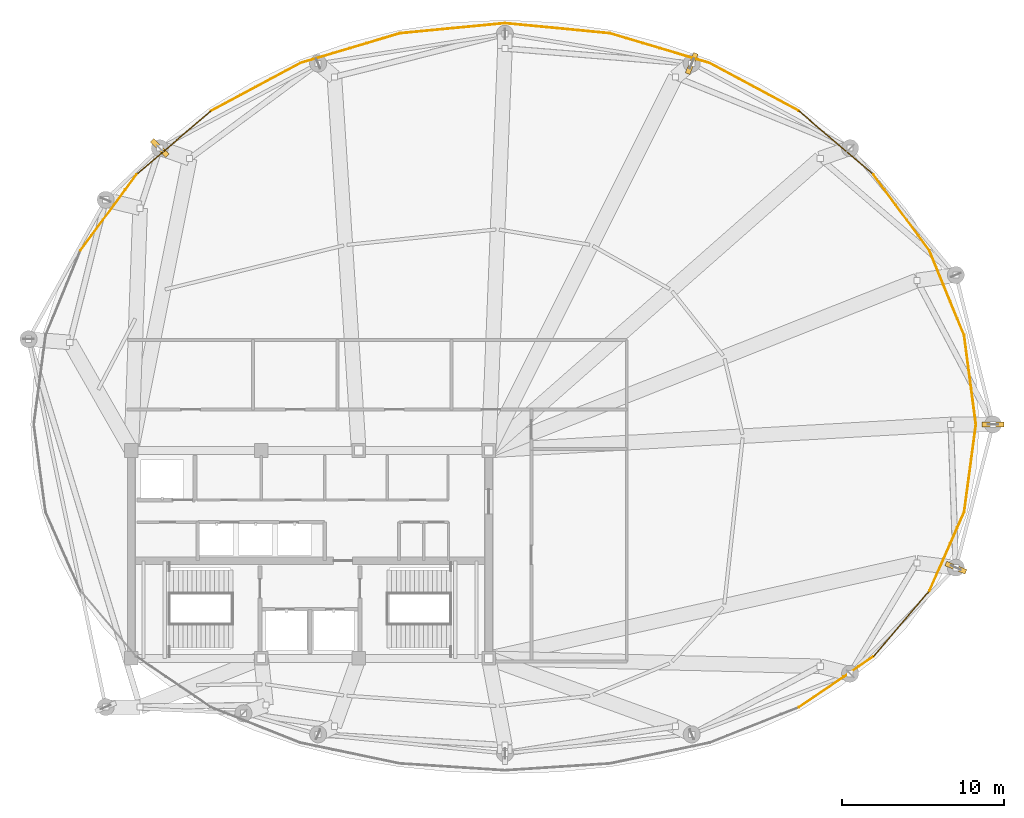
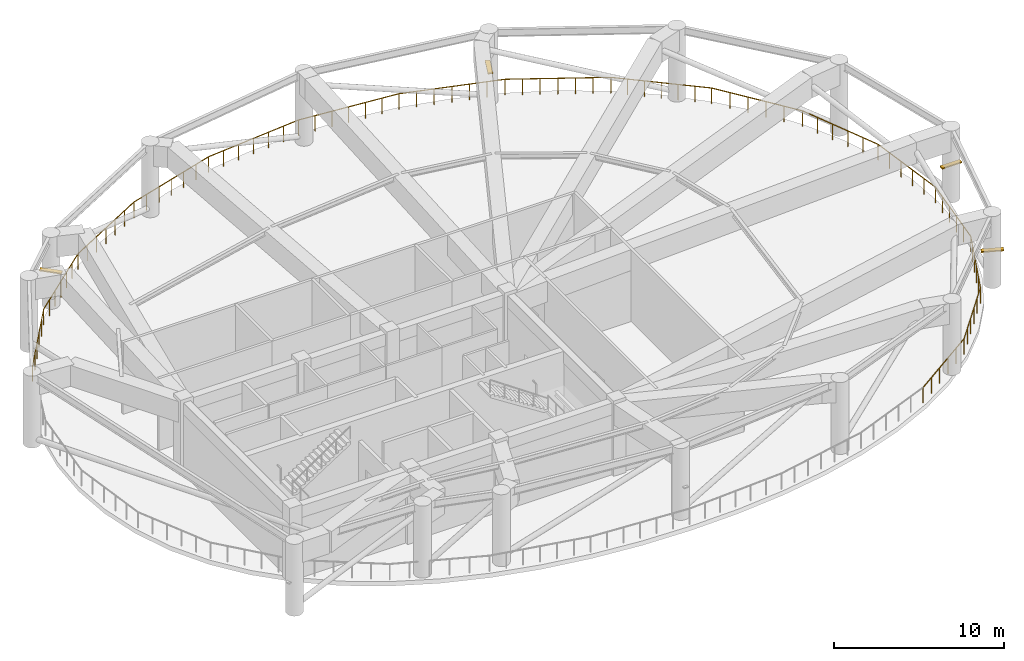
# One storey, part 9 of 9: 16 railings, 4 shading devices.
"""IFC4 building model written with IfcOpenShell, lengths in metres."""

from ifc_helpers import new_model, si_unit, direction, frame, origin, origin_2d, place, context, subcontext, project, spatial, rectangle, extrude, material, type_object, element, save


model = new_model("IFC4")

# Units and contexts
model_context = context("Model", 3, precision=1e-05, world=origin(), true_north=direction((0.0, 1.0)))
body_context = subcontext(model_context, "Body", "Model", "MODEL_VIEW")
ifc_project = project(units=[si_unit("LENGTHUNIT", "METRE"), si_unit("AREAUNIT", "SQUARE_METRE"), si_unit("VOLUMEUNIT", "CUBIC_METRE"), si_unit("PLANEANGLEUNIT", "RADIAN"), si_unit("MASSUNIT", "GRAM", prefix="KILO")], contexts=[model_context])

# Site, building, storey
site_placement = place(None, origin())
site = spatial("IfcSite", under=ifc_project, at=site_placement, CompositionType="ELEMENT")
building_placement = place(site_placement, origin())
building = spatial("IfcBuilding", under=site, at=building_placement, Name="Kazevale Care Tower and Concert Hall", CompositionType="ELEMENT")
storey_placement = place(building_placement, frame((0.0, 0.0, 253.199951171875)))
storey = spatial("IfcBuildingStorey", under=building, at=storey_placement, Name="L67", CompositionType="ELEMENT", Elevation=253.199951171875)

# Railings
ifc_material_1 = material(Name="Stainless Steel 316", Category="steel")
railing_type = type_object("IfcRailingType", Name="Wind-Floor & Portal Guardrail 1150", PredefinedType="BALUSTRADE", material=ifc_material_1)
railing_1_placement = place(storey_placement, frame((74.0, 38.0, 0.0)))
element("IfcRailing", 1, at=railing_1_placement, inside=storey, type_object=railing_type, Name="rail:L67:wind_perim:01", PredefinedType="BALUSTRADE", context=body_context, shape_type="SweptSolid", body=[
    extrude(rectangle(XDim=0.048095703125, YDim=0.048095703125, at=origin_2d()), frame((0.0, 0.0, 1.1259765625), z_axis=(-0.133203612034, -0.991088693176, 0.0), x_axis=(0.991088693176, -0.133203612034, 0.0)), (0.0, 0.0, 1.0), 5.443603515625),
    extrude(rectangle(XDim=0.0419921875, YDim=0.0419921875, at=origin_2d()), origin(), (0.0, 0.0, 1.0), 1.101806640625),
    extrude(rectangle(XDim=0.0419921875, YDim=0.0419921875, at=origin_2d()), frame((-0.14501953125, -1.0791015625, 0.0)), (0.0, 0.0, 1.0), 1.101806640625),
    extrude(rectangle(XDim=0.0419921875, YDim=0.0419921875, at=origin_2d()), frame((-0.2900390625, -2.157958984375, 0.0)), (0.0, 0.0, 1.0), 1.101806640625),
    extrude(rectangle(XDim=0.0419921875, YDim=0.0419921875, at=origin_2d()), frame((-0.43505859375, -3.237060546875, 0.0)), (0.0, 0.0, 1.0), 1.101806640625),
    extrude(rectangle(XDim=0.0419921875, YDim=0.0419921875, at=origin_2d()), frame((-0.580078125, -4.31591796875, 0.0)), (0.0, 0.0, 1.0), 1.101806640625),
    extrude(rectangle(XDim=0.0419921875, YDim=0.0419921875, at=origin_2d()), frame((-0.72509765625, -5.39501953125, 0.0)), (0.0, 0.0, 1.0), 1.101806640625),
])
railing_2_placement = place(storey_placement, frame((73.27490234375, 32.60498046875, 0.0)))
element("IfcRailing", 2, at=railing_2_placement, inside=storey, type_object=railing_type, Name="rail:L67:wind_perim:02", PredefinedType="BALUSTRADE", context=body_context, shape_type="SweptSolid", body=[
    extrude(rectangle(XDim=0.048095703125, YDim=0.048095703125, at=origin_2d()), frame((0.0, 0.0, 1.1259765625), z_axis=(-0.403471028859, -0.914992420117, 0.0), x_axis=(0.914992420117, -0.403471028859, 0.0)), (0.0, 0.0, 1.0), 5.2939453125),
    extrude(rectangle(XDim=0.0419921875, YDim=0.0419921875, at=origin_2d()), origin(), (0.0, 0.0, 1.0), 1.101806640625),
    extrude(rectangle(XDim=0.0419921875, YDim=0.0419921875, at=origin_2d()), frame((-0.42724609375, -0.96875, 0.0)), (0.0, 0.0, 1.0), 1.101806640625),
    extrude(rectangle(XDim=0.0419921875, YDim=0.0419921875, at=origin_2d()), frame((-0.8544921875, -1.9375, 0.0)), (0.0, 0.0, 1.0), 1.101806640625),
    extrude(rectangle(XDim=0.0419921875, YDim=0.0419921875, at=origin_2d()), frame((-1.281494140625, -2.906494140625, 0.0)), (0.0, 0.0, 1.0), 1.101806640625),
    extrude(rectangle(XDim=0.0419921875, YDim=0.0419921875, at=origin_2d()), frame((-1.708740234375, -3.875244140625, 0.0)), (0.0, 0.0, 1.0), 1.101806640625),
    extrude(rectangle(XDim=0.0419921875, YDim=0.0419921875, at=origin_2d()), frame((-2.135986328125, -4.843994140625, 0.0)), (0.0, 0.0, 1.0), 1.101806640625),
])
railing_3_placement = place(storey_placement, frame((71.138916015625, 27.760986328125, 0.0)))
element("IfcRailing", 3, at=railing_3_placement, inside=storey, type_object=railing_type, Name="rail:L67:wind_perim:03", PredefinedType="BALUSTRADE", context=body_context, shape_type="SweptSolid", body=[
    extrude(rectangle(XDim=0.048095703125, YDim=0.048095703125, at=origin_2d()), frame((0.0, 0.0, 1.1259765625), z_axis=(-0.64843290081, -0.761271812921, 0.0), x_axis=(0.761271812921, -0.64843290081, 0.0)), (0.0, 0.0, 1.0), 5.3095703125),
    extrude(rectangle(XDim=0.0419921875, YDim=0.0419921875, at=origin_2d()), origin(), (0.0, 0.0, 1.0), 1.101806640625),
    extrude(rectangle(XDim=0.0419921875, YDim=0.0419921875, at=origin_2d()), frame((-0.6884765625, -0.808349609375, 0.0)), (0.0, 0.0, 1.0), 1.101806640625),
    extrude(rectangle(XDim=0.0419921875, YDim=0.0419921875, at=origin_2d()), frame((-1.377197265625, -1.61669921875, 0.0)), (0.0, 0.0, 1.0), 1.101806640625),
    extrude(rectangle(XDim=0.0419921875, YDim=0.0419921875, at=origin_2d()), frame((-2.065673828125, -2.42529296875, 0.0)), (0.0, 0.0, 1.0), 1.101806640625),
    extrude(rectangle(XDim=0.0419921875, YDim=0.0419921875, at=origin_2d()), frame((-2.75439453125, -3.233642578125, 0.0)), (0.0, 0.0, 1.0), 1.101806640625),
    extrude(rectangle(XDim=0.0419921875, YDim=0.0419921875, at=origin_2d()), frame((-3.44287109375, -4.0419921875, 0.0)), (0.0, 0.0, 1.0), 1.101806640625),
])
railing_4_placement = place(storey_placement, frame((67.696044921875, 23.718994140625, 0.0)))
element("IfcRailing", 4, at=railing_4_placement, inside=storey, type_object=railing_type, Name="rail:L67:wind_perim:04", PredefinedType="BALUSTRADE", context=body_context, shape_type="SweptSolid", body=[
    extrude(rectangle(XDim=0.048095703125, YDim=0.048095703125, at=origin_2d()), frame((0.0, 0.0, 1.1259765625), z_axis=(-0.826126774353, -0.563484296762, 0.0), x_axis=(0.563484296762, -0.826126774353, 0.0)), (0.0, 0.0, 1.0), 5.547607421875),
    extrude(rectangle(XDim=0.0419921875, YDim=0.0419921875, at=origin_2d()), origin(), (0.0, 0.0, 1.0), 1.101806640625),
    extrude(rectangle(XDim=0.0419921875, YDim=0.0419921875, at=origin_2d()), frame((-0.91650390625, -0.625244140625, 0.0)), (0.0, 0.0, 1.0), 1.101806640625),
    extrude(rectangle(XDim=0.0419921875, YDim=0.0419921875, at=origin_2d()), frame((-1.833251953125, -1.25048828125, 0.0)), (0.0, 0.0, 1.0), 1.101806640625),
    extrude(rectangle(XDim=0.0419921875, YDim=0.0419921875, at=origin_2d()), frame((-2.749755859375, -1.87548828125, 0.0)), (0.0, 0.0, 1.0), 1.101806640625),
    extrude(rectangle(XDim=0.0419921875, YDim=0.0419921875, at=origin_2d()), frame((-3.66650390625, -2.500732421875, 0.0)), (0.0, 0.0, 1.0), 1.101806640625),
    extrude(rectangle(XDim=0.0419921875, YDim=0.0419921875, at=origin_2d()), frame((-4.5830078125, -3.1259765625, 0.0)), (0.0, 0.0, 1.0), 1.101806640625),
])
railing_5_placement = place(storey_placement, frame((18.865966796875, 48.705078125, 0.0)))
element("IfcRailing", 5, at=railing_5_placement, inside=storey, type_object=railing_type, Name="rail:L67:wind_perim:17", PredefinedType="BALUSTRADE", context=body_context, shape_type="SweptSolid", body=[
    extrude(rectangle(XDim=0.048095703125, YDim=0.048095703125, at=origin_2d()), frame((0.0, 0.0, 1.1259765625), z_axis=(0.593243418162, 0.805023134331, 0.0), x_axis=(-0.805023134331, 0.593243418162, 0.0)), (0.0, 0.0, 1.0), 5.817138671875),
    extrude(rectangle(XDim=0.0419921875, YDim=0.0419921875, at=origin_2d()), origin(), (0.0, 0.0, 1.0), 1.101806640625),
    extrude(rectangle(XDim=0.0419921875, YDim=0.0419921875, at=origin_2d()), frame((0.690185546875, 0.9365234375, 0.0)), (0.0, 0.0, 1.0), 1.101806640625),
    extrude(rectangle(XDim=0.0419921875, YDim=0.0419921875, at=origin_2d()), frame((1.38037109375, 1.873046875, 0.0)), (0.0, 0.0, 1.0), 1.101806640625),
    extrude(rectangle(XDim=0.0419921875, YDim=0.0419921875, at=origin_2d()), frame((2.070556640625, 2.809814453125, 0.0)), (0.0, 0.0, 1.0), 1.101806640625),
    extrude(rectangle(XDim=0.0419921875, YDim=0.0419921875, at=origin_2d()), frame((2.7607421875, 3.746337890625, 0.0)), (0.0, 0.0, 1.0), 1.101806640625),
    extrude(rectangle(XDim=0.0419921875, YDim=0.0419921875, at=origin_2d()), frame((3.450927734375, 4.682861328125, 0.0)), (0.0, 0.0, 1.0), 1.101806640625),
])
railing_6_placement = place(storey_placement, frame((22.31689453125, 53.387939453125, 0.0)))
element("IfcRailing", 6, at=railing_6_placement, inside=storey, type_object=railing_type, Name="rail:L67:wind_perim:18", PredefinedType="BALUSTRADE", context=body_context, shape_type="SweptSolid", body=[
    extrude(rectangle(XDim=0.048095703125, YDim=0.048095703125, at=origin_2d()), frame((0.0, 0.0, 1.1259765625), z_axis=(0.760916815362, 0.648849443322, 0.0), x_axis=(-0.648849443322, 0.760916815362, 0.0)), (0.0, 0.0, 1.0), 6.0322265625),
    extrude(rectangle(XDim=0.0419921875, YDim=0.0419921875, at=origin_2d()), origin(), (0.0, 0.0, 1.0), 1.101806640625),
    extrude(rectangle(XDim=0.0419921875, YDim=0.0419921875, at=origin_2d()), frame((0.76513671875, 0.65234375, 0.0)), (0.0, 0.0, 1.0), 1.101806640625),
    extrude(rectangle(XDim=0.0419921875, YDim=0.0419921875, at=origin_2d()), frame((1.530029296875, 1.3046875, 0.0)), (0.0, 0.0, 1.0), 1.101806640625),
    extrude(rectangle(XDim=0.0419921875, YDim=0.0419921875, at=origin_2d()), frame((2.294921875, 1.95703125, 0.0)), (0.0, 0.0, 1.0), 1.101806640625),
    extrude(rectangle(XDim=0.0419921875, YDim=0.0419921875, at=origin_2d()), frame((3.06005859375, 2.609375, 0.0)), (0.0, 0.0, 1.0), 1.101806640625),
    extrude(rectangle(XDim=0.0419921875, YDim=0.0419921875, at=origin_2d()), frame((3.8251953125, 3.26171875, 0.0)), (0.0, 0.0, 1.0), 1.101806640625),
    extrude(rectangle(XDim=0.0419921875, YDim=0.0419921875, at=origin_2d()), frame((4.590087890625, 3.9140625, 0.0)), (0.0, 0.0, 1.0), 1.101806640625),
])
railing_7_placement = place(storey_placement, frame((26.906982421875, 57.302001953125, 0.0)))
element("IfcRailing", 7, at=railing_7_placement, inside=storey, type_object=railing_type, Name="rail:L67:wind_perim:19", PredefinedType="BALUSTRADE", context=body_context, shape_type="SweptSolid", body=[
    extrude(rectangle(XDim=0.048095703125, YDim=0.048095703125, at=origin_2d()), frame((0.0, 0.0, 1.1259765625), z_axis=(0.881440413946, 0.472295243108, 0.0), x_axis=(-0.472295243108, 0.881440413946, 0.0)), (0.0, 0.0, 1.0), 6.23974609375),
    extrude(rectangle(XDim=0.0419921875, YDim=0.0419921875, at=origin_2d()), origin(), (0.0, 0.0, 1.0), 1.101806640625),
    extrude(rectangle(XDim=0.0419921875, YDim=0.0419921875, at=origin_2d()), frame((0.916748046875, 0.4912109375, 0.0)), (0.0, 0.0, 1.0), 1.101806640625),
    extrude(rectangle(XDim=0.0419921875, YDim=0.0419921875, at=origin_2d()), frame((1.833251953125, 0.982421875, 0.0)), (0.0, 0.0, 1.0), 1.101806640625),
    extrude(rectangle(XDim=0.0419921875, YDim=0.0419921875, at=origin_2d()), frame((2.75, 1.4736328125, 0.0)), (0.0, 0.0, 1.0), 1.101806640625),
    extrude(rectangle(XDim=0.0419921875, YDim=0.0419921875, at=origin_2d()), frame((3.666748046875, 1.964599609375, 0.0)), (0.0, 0.0, 1.0), 1.101806640625),
    extrude(rectangle(XDim=0.0419921875, YDim=0.0419921875, at=origin_2d()), frame((4.583251953125, 2.455810546875, 0.0)), (0.0, 0.0, 1.0), 1.101806640625),
    extrude(rectangle(XDim=0.0419921875, YDim=0.0419921875, at=origin_2d()), frame((5.5, 2.947021484375, 0.0)), (0.0, 0.0, 1.0), 1.101806640625),
])
railing_8_placement = place(storey_placement, frame((32.406982421875, 60.2490234375, 0.0)))
element("IfcRailing", 8, at=railing_8_placement, inside=storey, type_object=railing_type, Name="rail:L67:wind_perim:20", PredefinedType="BALUSTRADE", context=body_context, shape_type="SweptSolid", body=[
    extrude(rectangle(XDim=0.048095703125, YDim=0.048095703125, at=origin_2d()), frame((0.0, 0.0, 1.1259765625), z_axis=(0.95826081723, 0.285895446207, 0.0), x_axis=(-0.285895446207, 0.95826081723, 0.0)), (0.0, 0.0, 1.0), 6.401123046875),
    extrude(rectangle(XDim=0.0419921875, YDim=0.0419921875, at=origin_2d()), origin(), (0.0, 0.0, 1.0), 1.101806640625),
    extrude(rectangle(XDim=0.0419921875, YDim=0.0419921875, at=origin_2d()), frame((1.0224609375, 0.304931640625, 0.0)), (0.0, 0.0, 1.0), 1.101806640625),
    extrude(rectangle(XDim=0.0419921875, YDim=0.0419921875, at=origin_2d()), frame((2.044677734375, 0.610107421875, 0.0)), (0.0, 0.0, 1.0), 1.101806640625),
    extrude(rectangle(XDim=0.0419921875, YDim=0.0419921875, at=origin_2d()), frame((3.06689453125, 0.9150390625, 0.0)), (0.0, 0.0, 1.0), 1.101806640625),
    extrude(rectangle(XDim=0.0419921875, YDim=0.0419921875, at=origin_2d()), frame((4.08935546875, 1.219970703125, 0.0)), (0.0, 0.0, 1.0), 1.101806640625),
    extrude(rectangle(XDim=0.0419921875, YDim=0.0419921875, at=origin_2d()), frame((5.11181640625, 1.525146484375, 0.0)), (0.0, 0.0, 1.0), 1.101806640625),
    extrude(rectangle(XDim=0.0419921875, YDim=0.0419921875, at=origin_2d()), frame((6.134033203125, 1.830078125, 0.0)), (0.0, 0.0, 1.0), 1.101806640625),
])
railing_9_placement = place(storey_placement, frame((38.541015625, 62.0791015625, 0.0)))
element("IfcRailing", 9, at=railing_9_placement, inside=storey, type_object=railing_type, Name="rail:L67:wind_perim:21", PredefinedType="BALUSTRADE", context=body_context, shape_type="SweptSolid", body=[
    extrude(rectangle(XDim=0.048095703125, YDim=0.048095703125, at=origin_2d()), frame((0.0, 0.0, 1.1259765625), z_axis=(0.995412061778, 0.095680861548, 0.0), x_axis=(-0.095680861548, 0.995412061778, 0.0)), (0.0, 0.0, 1.0), 6.48876953125),
    extrude(rectangle(XDim=0.0419921875, YDim=0.0419921875, at=origin_2d()), origin(), (0.0, 0.0, 1.0), 1.101806640625),
    extrude(rectangle(XDim=0.0419921875, YDim=0.0419921875, at=origin_2d()), frame((1.076416015625, 0.103515625, 0.0)), (0.0, 0.0, 1.0), 1.101806640625),
    extrude(rectangle(XDim=0.0419921875, YDim=0.0419921875, at=origin_2d()), frame((2.153076171875, 0.20703125, 0.0)), (0.0, 0.0, 1.0), 1.101806640625),
    extrude(rectangle(XDim=0.0419921875, YDim=0.0419921875, at=origin_2d()), frame((3.2294921875, 0.310546875, 0.0)), (0.0, 0.0, 1.0), 1.101806640625),
    extrude(rectangle(XDim=0.0419921875, YDim=0.0419921875, at=origin_2d()), frame((4.305908203125, 0.413818359375, 0.0)), (0.0, 0.0, 1.0), 1.101806640625),
    extrude(rectangle(XDim=0.0419921875, YDim=0.0419921875, at=origin_2d()), frame((5.382568359375, 0.517333984375, 0.0)), (0.0, 0.0, 1.0), 1.101806640625),
    extrude(rectangle(XDim=0.0419921875, YDim=0.0419921875, at=origin_2d()), frame((6.458984375, 0.620849609375, 0.0)), (0.0, 0.0, 1.0), 1.101806640625),
])
railing_10_placement = place(storey_placement, frame((45.0, 62.699951171875, 0.0)))
element("IfcRailing", 10, at=railing_10_placement, inside=storey, type_object=railing_type, Name="rail:L67:wind_perim:22", PredefinedType="BALUSTRADE", context=body_context, shape_type="SweptSolid", body=[
    extrude(rectangle(XDim=0.048095703125, YDim=0.048095703125, at=origin_2d()), frame((0.0, 0.0, 1.1259765625), z_axis=(0.995412061778, -0.095680861548, 0.0), x_axis=(0.095680861548, 0.995412061778, 0.0)), (0.0, 0.0, 1.0), 6.48876953125),
    extrude(rectangle(XDim=0.0419921875, YDim=0.0419921875, at=origin_2d()), origin(), (0.0, 0.0, 1.0), 1.101806640625),
    extrude(rectangle(XDim=0.0419921875, YDim=0.0419921875, at=origin_2d()), frame((1.076416015625, -0.103515625, 0.0)), (0.0, 0.0, 1.0), 1.101806640625),
    extrude(rectangle(XDim=0.0419921875, YDim=0.0419921875, at=origin_2d()), frame((2.153076171875, -0.20703125, 0.0)), (0.0, 0.0, 1.0), 1.101806640625),
    extrude(rectangle(XDim=0.0419921875, YDim=0.0419921875, at=origin_2d()), frame((3.2294921875, -0.310546875, 0.0)), (0.0, 0.0, 1.0), 1.101806640625),
    extrude(rectangle(XDim=0.0419921875, YDim=0.0419921875, at=origin_2d()), frame((4.305908203125, -0.413818359375, 0.0)), (0.0, 0.0, 1.0), 1.101806640625),
    extrude(rectangle(XDim=0.0419921875, YDim=0.0419921875, at=origin_2d()), frame((5.382568359375, -0.517333984375, 0.0)), (0.0, 0.0, 1.0), 1.101806640625),
    extrude(rectangle(XDim=0.0419921875, YDim=0.0419921875, at=origin_2d()), frame((6.458984375, -0.620849609375, 0.0)), (0.0, 0.0, 1.0), 1.101806640625),
])
railing_11_placement = place(storey_placement, frame((51.458984375, 62.0791015625, 0.0)))
element("IfcRailing", 11, at=railing_11_placement, inside=storey, type_object=railing_type, Name="rail:L67:wind_perim:23", PredefinedType="BALUSTRADE", context=body_context, shape_type="SweptSolid", body=[
    extrude(rectangle(XDim=0.048095703125, YDim=0.048095703125, at=origin_2d()), frame((0.0, 0.0, 1.1259765625), z_axis=(0.95826081723, -0.285895446207, 0.0), x_axis=(0.285895446207, 0.95826081723, 0.0)), (0.0, 0.0, 1.0), 6.401123046875),
    extrude(rectangle(XDim=0.0419921875, YDim=0.0419921875, at=origin_2d()), origin(), (0.0, 0.0, 1.0), 1.101806640625),
    extrude(rectangle(XDim=0.0419921875, YDim=0.0419921875, at=origin_2d()), frame((1.0224609375, -0.304931640625, 0.0)), (0.0, 0.0, 1.0), 1.101806640625),
    extrude(rectangle(XDim=0.0419921875, YDim=0.0419921875, at=origin_2d()), frame((2.044677734375, -0.610107421875, 0.0)), (0.0, 0.0, 1.0), 1.101806640625),
    extrude(rectangle(XDim=0.0419921875, YDim=0.0419921875, at=origin_2d()), frame((3.06689453125, -0.9150390625, 0.0)), (0.0, 0.0, 1.0), 1.101806640625),
    extrude(rectangle(XDim=0.0419921875, YDim=0.0419921875, at=origin_2d()), frame((4.08935546875, -1.219970703125, 0.0)), (0.0, 0.0, 1.0), 1.101806640625),
    extrude(rectangle(XDim=0.0419921875, YDim=0.0419921875, at=origin_2d()), frame((5.11181640625, -1.525146484375, 0.0)), (0.0, 0.0, 1.0), 1.101806640625),
    extrude(rectangle(XDim=0.0419921875, YDim=0.0419921875, at=origin_2d()), frame((6.134033203125, -1.830078125, 0.0)), (0.0, 0.0, 1.0), 1.101806640625),
])
railing_12_placement = place(storey_placement, frame((57.593017578125, 60.2490234375, 0.0)))
element("IfcRailing", 12, at=railing_12_placement, inside=storey, type_object=railing_type, Name="rail:L67:wind_perim:24", PredefinedType="BALUSTRADE", context=body_context, shape_type="SweptSolid", body=[
    extrude(rectangle(XDim=0.048095703125, YDim=0.048095703125, at=origin_2d()), frame((0.0, 0.0, 1.1259765625), z_axis=(0.881440413946, -0.472295243108, 0.0), x_axis=(0.472295243108, 0.881440413946, 0.0)), (0.0, 0.0, 1.0), 6.23974609375),
    extrude(rectangle(XDim=0.0419921875, YDim=0.0419921875, at=origin_2d()), origin(), (0.0, 0.0, 1.0), 1.101806640625),
    extrude(rectangle(XDim=0.0419921875, YDim=0.0419921875, at=origin_2d()), frame((0.916748046875, -0.4912109375, 0.0)), (0.0, 0.0, 1.0), 1.101806640625),
    extrude(rectangle(XDim=0.0419921875, YDim=0.0419921875, at=origin_2d()), frame((1.833251953125, -0.982421875, 0.0)), (0.0, 0.0, 1.0), 1.101806640625),
    extrude(rectangle(XDim=0.0419921875, YDim=0.0419921875, at=origin_2d()), frame((2.75, -1.4736328125, 0.0)), (0.0, 0.0, 1.0), 1.101806640625),
    extrude(rectangle(XDim=0.0419921875, YDim=0.0419921875, at=origin_2d()), frame((3.666748046875, -1.964599609375, 0.0)), (0.0, 0.0, 1.0), 1.101806640625),
    extrude(rectangle(XDim=0.0419921875, YDim=0.0419921875, at=origin_2d()), frame((4.583251953125, -2.455810546875, 0.0)), (0.0, 0.0, 1.0), 1.101806640625),
    extrude(rectangle(XDim=0.0419921875, YDim=0.0419921875, at=origin_2d()), frame((5.5, -2.947021484375, 0.0)), (0.0, 0.0, 1.0), 1.101806640625),
])
railing_13_placement = place(storey_placement, frame((63.093017578125, 57.302001953125, 0.0)))
element("IfcRailing", 13, at=railing_13_placement, inside=storey, type_object=railing_type, Name="rail:L67:wind_perim:25", PredefinedType="BALUSTRADE", context=body_context, shape_type="SweptSolid", body=[
    extrude(rectangle(XDim=0.048095703125, YDim=0.048095703125, at=origin_2d()), frame((0.0, 0.0, 1.1259765625), z_axis=(0.760916815362, -0.648849443322, 0.0), x_axis=(0.648849443322, 0.760916815362, 0.0)), (0.0, 0.0, 1.0), 6.0322265625),
    extrude(rectangle(XDim=0.0419921875, YDim=0.0419921875, at=origin_2d()), origin(), (0.0, 0.0, 1.0), 1.101806640625),
    extrude(rectangle(XDim=0.0419921875, YDim=0.0419921875, at=origin_2d()), frame((0.76513671875, -0.65234375, 0.0)), (0.0, 0.0, 1.0), 1.101806640625),
    extrude(rectangle(XDim=0.0419921875, YDim=0.0419921875, at=origin_2d()), frame((1.530029296875, -1.3046875, 0.0)), (0.0, 0.0, 1.0), 1.101806640625),
    extrude(rectangle(XDim=0.0419921875, YDim=0.0419921875, at=origin_2d()), frame((2.294921875, -1.95703125, 0.0)), (0.0, 0.0, 1.0), 1.101806640625),
    extrude(rectangle(XDim=0.0419921875, YDim=0.0419921875, at=origin_2d()), frame((3.06005859375, -2.609375, 0.0)), (0.0, 0.0, 1.0), 1.101806640625),
    extrude(rectangle(XDim=0.0419921875, YDim=0.0419921875, at=origin_2d()), frame((3.8251953125, -3.26171875, 0.0)), (0.0, 0.0, 1.0), 1.101806640625),
    extrude(rectangle(XDim=0.0419921875, YDim=0.0419921875, at=origin_2d()), frame((4.590087890625, -3.9140625, 0.0)), (0.0, 0.0, 1.0), 1.101806640625),
])
railing_14_placement = place(storey_placement, frame((67.68310546875, 53.387939453125, 0.0)))
element("IfcRailing", 14, at=railing_14_placement, inside=storey, type_object=railing_type, Name="rail:L67:wind_perim:26", PredefinedType="BALUSTRADE", context=body_context, shape_type="SweptSolid", body=[
    extrude(rectangle(XDim=0.048095703125, YDim=0.048095703125, at=origin_2d()), frame((0.0, 0.0, 1.1259765625), z_axis=(0.593243418162, -0.805023134331, 0.0), x_axis=(0.805023134331, 0.593243418162, 0.0)), (0.0, 0.0, 1.0), 5.817138671875),
    extrude(rectangle(XDim=0.0419921875, YDim=0.0419921875, at=origin_2d()), origin(), (0.0, 0.0, 1.0), 1.101806640625),
    extrude(rectangle(XDim=0.0419921875, YDim=0.0419921875, at=origin_2d()), frame((0.690185546875, -0.9365234375, 0.0)), (0.0, 0.0, 1.0), 1.101806640625),
    extrude(rectangle(XDim=0.0419921875, YDim=0.0419921875, at=origin_2d()), frame((1.38037109375, -1.873046875, 0.0)), (0.0, 0.0, 1.0), 1.101806640625),
    extrude(rectangle(XDim=0.0419921875, YDim=0.0419921875, at=origin_2d()), frame((2.070556640625, -2.809814453125, 0.0)), (0.0, 0.0, 1.0), 1.101806640625),
    extrude(rectangle(XDim=0.0419921875, YDim=0.0419921875, at=origin_2d()), frame((2.7607421875, -3.746337890625, 0.0)), (0.0, 0.0, 1.0), 1.101806640625),
    extrude(rectangle(XDim=0.0419921875, YDim=0.0419921875, at=origin_2d()), frame((3.450927734375, -4.682861328125, 0.0)), (0.0, 0.0, 1.0), 1.101806640625),
])
railing_15_placement = place(storey_placement, frame((71.134033203125, 48.705078125, 0.0)))
element("IfcRailing", 15, at=railing_15_placement, inside=storey, type_object=railing_type, Name="rail:L67:wind_perim:27", PredefinedType="BALUSTRADE", context=body_context, shape_type="SweptSolid", body=[
    extrude(rectangle(XDim=0.048095703125, YDim=0.048095703125, at=origin_2d()), frame((0.0, 0.0, 1.1259765625), z_axis=(0.379551604364, -0.925170567855, 0.0), x_axis=(0.925170567855, 0.379551604364, 0.0)), (0.0, 0.0, 1.0), 5.637939453125),
    extrude(rectangle(XDim=0.0419921875, YDim=0.0419921875, at=origin_2d()), origin(), (0.0, 0.0, 1.0), 1.101806640625),
    extrude(rectangle(XDim=0.0419921875, YDim=0.0419921875, at=origin_2d()), frame((0.427978515625, -1.043212890625, 0.0)), (0.0, 0.0, 1.0), 1.101806640625),
    extrude(rectangle(XDim=0.0419921875, YDim=0.0419921875, at=origin_2d()), frame((0.85595703125, -2.08642578125, 0.0)), (0.0, 0.0, 1.0), 1.101806640625),
    extrude(rectangle(XDim=0.0419921875, YDim=0.0419921875, at=origin_2d()), frame((1.283935546875, -3.129638671875, 0.0)), (0.0, 0.0, 1.0), 1.101806640625),
    extrude(rectangle(XDim=0.0419921875, YDim=0.0419921875, at=origin_2d()), frame((1.7119140625, -4.1728515625, 0.0)), (0.0, 0.0, 1.0), 1.101806640625),
    extrude(rectangle(XDim=0.0419921875, YDim=0.0419921875, at=origin_2d()), frame((2.139892578125, -5.216064453125, 0.0)), (0.0, 0.0, 1.0), 1.101806640625),
])
railing_16_placement = place(storey_placement, frame((73.27392578125, 43.489013671875, 0.0)))
element("IfcRailing", 16, at=railing_16_placement, inside=storey, type_object=railing_type, Name="rail:L67:wind_perim:28", PredefinedType="BALUSTRADE", context=body_context, shape_type="SweptSolid", body=[
    extrude(rectangle(XDim=0.048095703125, YDim=0.048095703125, at=origin_2d()), frame((0.0, 0.0, 1.1259765625), z_axis=(0.131135431793, -0.991364463015, 0.0), x_axis=(0.991364463015, 0.131135431793, 0.0)), (0.0, 0.0, 1.0), 5.536865234375),
    extrude(rectangle(XDim=0.0419921875, YDim=0.0419921875, at=origin_2d()), origin(), (0.0, 0.0, 1.0), 1.101806640625),
    extrude(rectangle(XDim=0.0419921875, YDim=0.0419921875, at=origin_2d()), frame((0.145263671875, -1.097900390625, 0.0)), (0.0, 0.0, 1.0), 1.101806640625),
    extrude(rectangle(XDim=0.0419921875, YDim=0.0419921875, at=origin_2d()), frame((0.29052734375, -2.195556640625, 0.0)), (0.0, 0.0, 1.0), 1.101806640625),
    extrude(rectangle(XDim=0.0419921875, YDim=0.0419921875, at=origin_2d()), frame((0.435546875, -3.29345703125, 0.0)), (0.0, 0.0, 1.0), 1.101806640625),
    extrude(rectangle(XDim=0.0419921875, YDim=0.0419921875, at=origin_2d()), frame((0.580810546875, -4.39111328125, 0.0)), (0.0, 0.0, 1.0), 1.101806640625),
    extrude(rectangle(XDim=0.0419921875, YDim=0.0419921875, at=origin_2d()), frame((0.72607421875, -5.489013671875, 0.0)), (0.0, 0.0, 1.0), 1.101806640625),
])

# Shading devices
ifc_material_2 = material(Name="Aluminium 6063-T6", Category="aluminium")
shading_device_type = type_object("IfcShadingDeviceType", Name="Wind-Floor Acoustic Storm Louvre Blade LVR-01", PredefinedType="USERDEFINED", material=ifc_material_2)
for number, where, z_axis, x_axis, name in (
    (17, (75.050048828125, 38.0, 2.360107421875), (0.0, 0.0, 1.0), (1.0, 0.0, 0.0), "louvre:L67:01"),
    (18, (56.5, 60.219970703125, 2.360107421875), (0.0, 0.0, 1.0), (0.382683432365, 0.923879532511, 0.0), "louvre:L67:04"),
    (19, (23.75, 55.010009765625, 2.360107421875), (0.0, 0.0, 1.0), (-0.707106781187, 0.707106781187, 0.0), "louvre:L67:07"),
    (20, (72.760009765625, 29.179931640625, 2.360107421875), (0.0, 0.0, 1.0), (0.923879532511, -0.382683432365, 0.0), "louvre:L67:16"),
):
    element("IfcShadingDevice", number, at=place(storey_placement, frame(where, z_axis=z_axis, x_axis=x_axis)), inside=storey, type_object=shading_device_type, Name=name, ObjectType="LOUVRE", PredefinedType="USERDEFINED", context=body_context, shape_type="SweptSolid", body=[
        extrude(rectangle(XDim=1.35009765625, YDim=0.300048828125, at=origin_2d()), origin(), (0.0, 0.0, 1.0), 0.080078125),
    ])

save(model, "model.ifc")
